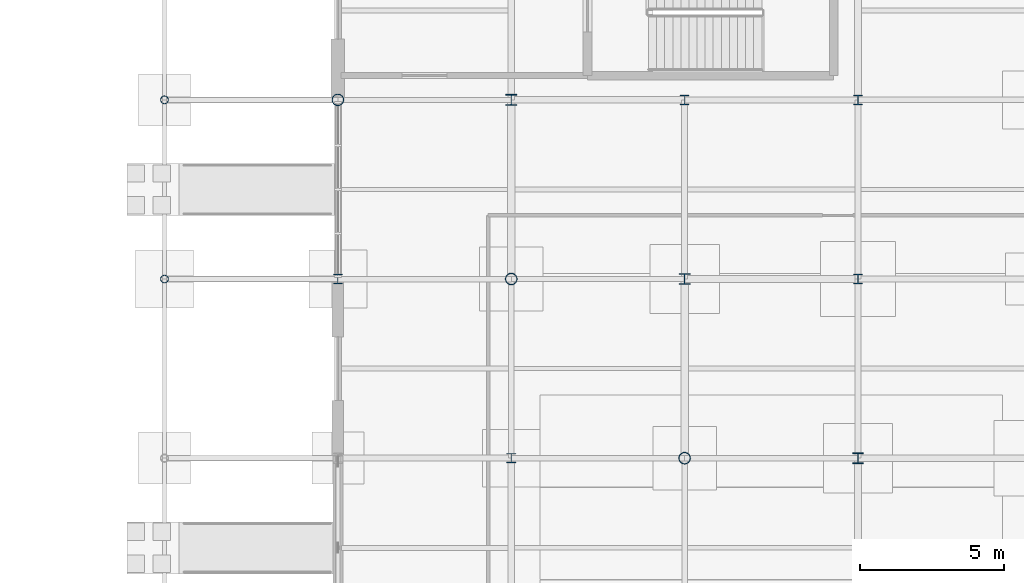
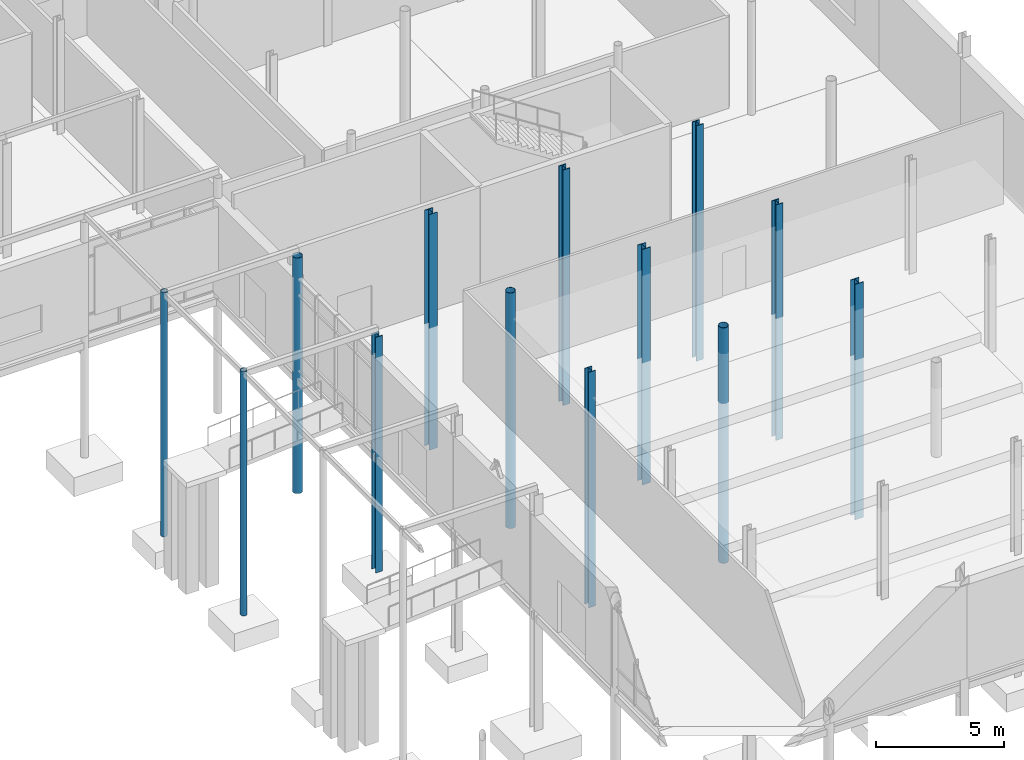
# One storey, part 21 of 98: 13 columns.
"""IFC4 building model written with IfcOpenShell, lengths in metres."""

from ifc_helpers import new_model, si_unit, direction, frame, origin, origin_2d, place, context, subcontext, project, spatial, hollow_circle, i_section, extrude, material, material_profile, profile_set, type_object, element, save


model = new_model("IFC4")

# Units and contexts
model_context = context("Model", 3, precision=1e-05, world=origin(), true_north=direction((0.0, 1.0)))
body_context = subcontext(model_context, "Body", "Model", "MODEL_VIEW")
ifc_project = project(units=[si_unit("LENGTHUNIT", "METRE"), si_unit("AREAUNIT", "SQUARE_METRE"), si_unit("VOLUMEUNIT", "CUBIC_METRE"), si_unit("PLANEANGLEUNIT", "RADIAN"), si_unit("MASSUNIT", "GRAM", prefix="KILO")], contexts=[model_context])

# Site, building, storey
site_placement = place(None, origin())
site = spatial("IfcSite", under=ifc_project, at=site_placement, CompositionType="ELEMENT")
building_placement = place(site_placement, origin())
building = spatial("IfcBuilding", under=site, at=building_placement, Name="Mirzam Square Science Centre", CompositionType="ELEMENT")
storey_placement = place(building_placement, origin())
storey = spatial("IfcBuildingStorey", under=building, at=storey_placement, Name="L00", CompositionType="ELEMENT", Elevation=0.0)

# Columns
ifc_material = material(Name="Steel S355", Category="steel")
ifc_material_profile_1 = material_profile(ifc_material, hollow_circle(Radius=0.136474609375, WallThickness=0.010009765625, at=origin_2d()), Name="273.0x10.0CHS")
ifc_profile_set_1 = profile_set([ifc_material_profile_1], Name="Steel S355")
column_type_1 = type_object("IfcColumnType", Name="COL-CHS273", PredefinedType="COLUMN", material=ifc_profile_set_1)
for number, where, z_axis, x_axis, name in (
    (1, (126.0, 24.800048828125, -5.800048828125), (0.0, 0.0, 1.0), (1.0, 0.0, 0.0), "L00 column G22-05"),
    (2, (126.0, 31.0, -5.800048828125), (0.0, 0.0, 1.0), (1.0, 0.0, 0.0), "L00 column G22-06"),
):
    element("IfcColumn", number, at=place(storey_placement, frame(where, z_axis=z_axis, x_axis=x_axis)), inside=storey, type_object=column_type_1, Name=name, PredefinedType="COLUMN", context=body_context, shape_type="SweptSolid", body=[
        extrude(hollow_circle(Radius=0.136474609375, WallThickness=0.010009765625, at=origin_2d()), origin(), (0.0, 0.0, 1.0), 11.6201171875),
    ])
ifc_material_profile_2 = material_profile(ifc_material, hollow_circle(Radius=0.203125, WallThickness=0.01611328125, at=origin_2d()), Name="406.4x16.0CHS")
ifc_profile_set_2 = profile_set([ifc_material_profile_2], Name="Steel S355")
column_type_2 = type_object("IfcColumnType", Name="COL-CHS406", PredefinedType="COLUMN", material=ifc_profile_set_2)
for number, where, z_axis, x_axis, name in (
    (3, (132.0, 31.0, -5.800048828125), (0.0, 0.0, 1.0), (1.0, 0.0, 0.0), "L00 column G23-06"),
    (4, (138.0, 24.800048828125, -5.800048828125), (0.0, 0.0, 1.0), (1.0, 0.0, 0.0), "L00 column G24-05"),
    (5, (144.0, 18.60009765625, -5.800048828125), (0.0, 0.0, 1.0), (1.0, 0.0, 0.0), "L00 column G25-04"),
):
    element("IfcColumn", number, at=place(storey_placement, frame(where, z_axis=z_axis, x_axis=x_axis)), inside=storey, type_object=column_type_2, Name=name, PredefinedType="COLUMN", context=body_context, shape_type="SweptSolid", body=[
        extrude(hollow_circle(Radius=0.203125, WallThickness=0.01611328125, at=origin_2d()), origin(), (0.0, 0.0, 1.0), 11.199951171875),
    ])
ifc_material_profile_3 = material_profile(ifc_material, i_section(OverallWidth=0.314453125, OverallDepth=0.33984375, WebThickness=0.01904296875, FlangeThickness=0.031494140625, FilletRadius=0.01513671875, at=origin_2d()), Name="305x305x198UC")
ifc_profile_set_3 = profile_set([ifc_material_profile_3], Name="Steel S355")
column_type_3 = type_object("IfcColumnType", Name="COL-UC305B", PredefinedType="COLUMN", material=ifc_profile_set_3)
for number, where, z_axis, x_axis, name in (
    (6, (132.0, 24.800048828125, -5.800048828125), (0.0, 0.0, 1.0), (1.0, 0.0, 0.0), "L00 column G23-05"),
    (7, (138.0, 18.60009765625, -5.800048828125), (0.0, 0.0, 1.0), (1.0, 0.0, 0.0), "L00 column G24-04"),
    (8, (150.0, 31.0, -5.800048828125), (0.0, 0.0, 1.0), (1.0, 0.0, 0.0), "L00 column G26-06"),
):
    element("IfcColumn", number, at=place(storey_placement, frame(where, z_axis=z_axis, x_axis=x_axis)), inside=storey, type_object=column_type_3, Name=name, PredefinedType="COLUMN", context=body_context, shape_type="SweptSolid", body=[
        extrude(i_section(OverallWidth=0.314453125, OverallDepth=0.33984375, WebThickness=0.01904296875, FlangeThickness=0.031494140625, FilletRadius=0.01513671875, at=origin_2d()), origin(), (0.0, 0.0, 1.0), 11.199951171875),
    ])
ifc_material_profile_4 = material_profile(ifc_material, i_section(OverallWidth=0.318359375, OverallDepth=0.3525390625, WebThickness=0.02294921875, FlangeThickness=0.03759765625, FilletRadius=0.01513671875, at=origin_2d()), Name="305x305x240UC")
ifc_profile_set_4 = profile_set([ifc_material_profile_4], Name="Steel S355")
column_type_4 = type_object("IfcColumnType", Name="COL-UC305C", PredefinedType="COLUMN", material=ifc_profile_set_4)
for number, where, z_axis, x_axis, name in (
    (9, (144.0, 31.0, -5.800048828125), (0.0, 0.0, 1.0), (1.0, 0.0, 0.0), "L00 column G25-06"),
    (10, (150.0, 24.800048828125, -5.800048828125), (0.0, 0.0, 1.0), (1.0, 0.0, 0.0), "L00 column G26-05"),
):
    element("IfcColumn", number, at=place(storey_placement, frame(where, z_axis=z_axis, x_axis=x_axis)), inside=storey, type_object=column_type_4, Name=name, PredefinedType="COLUMN", context=body_context, shape_type="SweptSolid", body=[
        extrude(i_section(OverallWidth=0.318359375, OverallDepth=0.3525390625, WebThickness=0.02294921875, FlangeThickness=0.03759765625, FilletRadius=0.01513671875, at=origin_2d()), origin(), (0.0, 0.0, 1.0), 11.199951171875),
    ])
ifc_material_profile_5 = material_profile(ifc_material, i_section(OverallWidth=0.374755859375, OverallDepth=0.37451171875, WebThickness=0.0166015625, FlangeThickness=0.027099609375, FilletRadius=0.01513671875, at=origin_2d()), Name="356x368x202UC")
ifc_profile_set_5 = profile_set([ifc_material_profile_5], Name="Steel S355")
column_type_5 = type_object("IfcColumnType", Name="COL-UC356A", PredefinedType="COLUMN", material=ifc_profile_set_5)
for number, where, z_axis, x_axis, name in (
    (11, (138.0, 31.0, -5.800048828125), (0.0, 0.0, 1.0), (1.0, 0.0, 0.0), "L00 column G24-06"),
    (12, (144.0, 24.800048828125, -5.800048828125), (0.0, 0.0, 1.0), (1.0, 0.0, 0.0), "L00 column G25-05"),
    (13, (150.0, 18.60009765625, -5.800048828125), (0.0, 0.0, 1.0), (1.0, 0.0, 0.0), "L00 column G26-04"),
):
    element("IfcColumn", number, at=place(storey_placement, frame(where, z_axis=z_axis, x_axis=x_axis)), inside=storey, type_object=column_type_5, Name=name, PredefinedType="COLUMN", context=body_context, shape_type="SweptSolid", body=[
        extrude(i_section(OverallWidth=0.374755859375, OverallDepth=0.37451171875, WebThickness=0.0166015625, FlangeThickness=0.027099609375, FilletRadius=0.01513671875, at=origin_2d()), origin(), (0.0, 0.0, 1.0), 11.199951171875),
    ])

save(model, "model.ifc")
